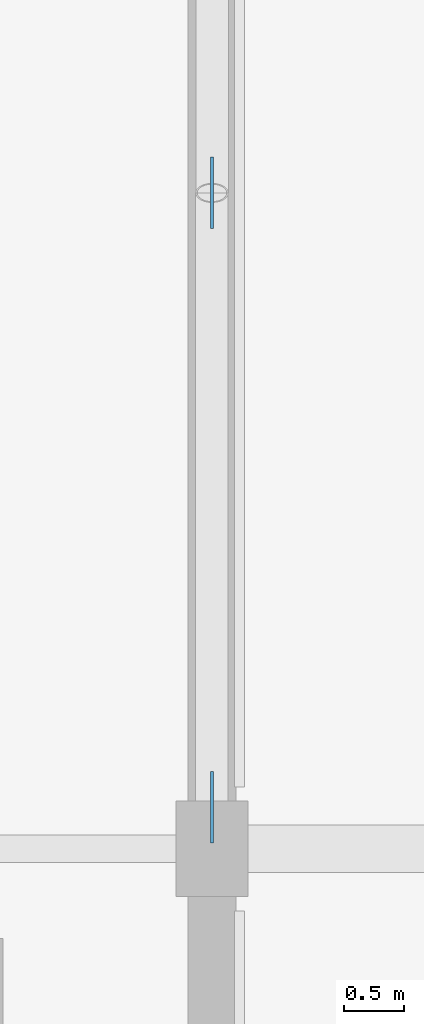
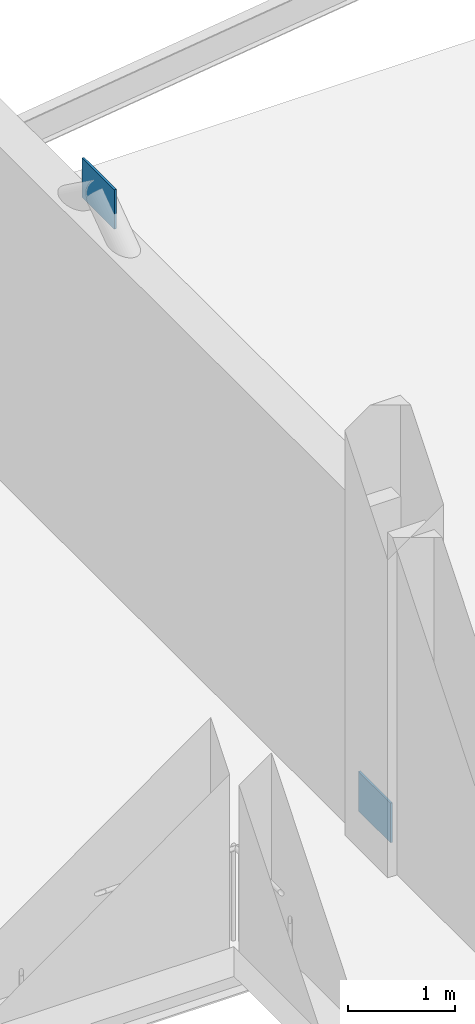
# One storey, part 47 of 77: 2 plates.
"""IFC4 building model written with IfcOpenShell, lengths in metres."""

from ifc_helpers import new_model, si_unit, direction, frame, origin, origin_2d, place, context, subcontext, project, spatial, rectangle, extrude, material, layer, layer_set, type_object, element, save


model = new_model("IFC4")

# Units and contexts
model_context = context("Model", 3, precision=1e-05, world=origin(), true_north=direction((0.0, 1.0)))
body_context = subcontext(model_context, "Body", "Model", "MODEL_VIEW")
ifc_project = project(units=[si_unit("LENGTHUNIT", "METRE"), si_unit("AREAUNIT", "SQUARE_METRE"), si_unit("VOLUMEUNIT", "CUBIC_METRE"), si_unit("PLANEANGLEUNIT", "RADIAN"), si_unit("MASSUNIT", "GRAM", prefix="KILO")], contexts=[model_context])

# Site, building, storey
site_placement = place(None, origin())
site = spatial("IfcSite", under=ifc_project, at=site_placement, CompositionType="ELEMENT")
building_placement = place(site_placement, origin())
building = spatial("IfcBuilding", under=site, at=building_placement, Name="Luwafu Chhajja Arena", CompositionType="ELEMENT")
storey_placement = place(building_placement, frame((0.0, 0.0, 14.699951171875)))
storey = spatial("IfcBuildingStorey", under=building, at=storey_placement, Name="L03", CompositionType="ELEMENT", Elevation=14.699951171875)

# Plates
ifc_material = material(Name="Steel S355", Category="steel")
ifc_layer = layer(ifc_material, 0.02197265625, Name="Steel S355")
ifc_layer_set = layer_set([ifc_layer], Name="Steel S355")
plate_type = type_object("IfcPlateType", Name="Lateral Brace Gusset Plate BN-1", PredefinedType="USERDEFINED", material=ifc_layer_set)
for number, where, z_axis, x_axis, name in (
    (1, (164.0, 27.5, 3.88525390625), (0.0, 0.0, 1.0), (1.0, 0.0, 0.0), "L03 Chevron Apex Gusset Plate BN-1 10"),
    (2, (164.0, 22.35009765625, 0.02490234375), (0.0, 0.0, 1.0), (1.0, 0.0, 0.0), "L03 Brace Base Gusset BN-1 10A"),
):
    element("IfcPlate", number, at=place(storey_placement, frame(where, z_axis=z_axis, x_axis=x_axis)), inside=storey, type_object=plate_type, Name=name, ObjectType="GUSSET PLATE", PredefinedType="USERDEFINED", context=body_context, shape_type="SweptSolid", body=[
        extrude(rectangle(XDim=0.02197265625, YDim=0.60009765625, at=origin_2d()), origin(), (0.0, 0.0, 1.0), 0.449951171875),
    ])

save(model, "model.ifc")
